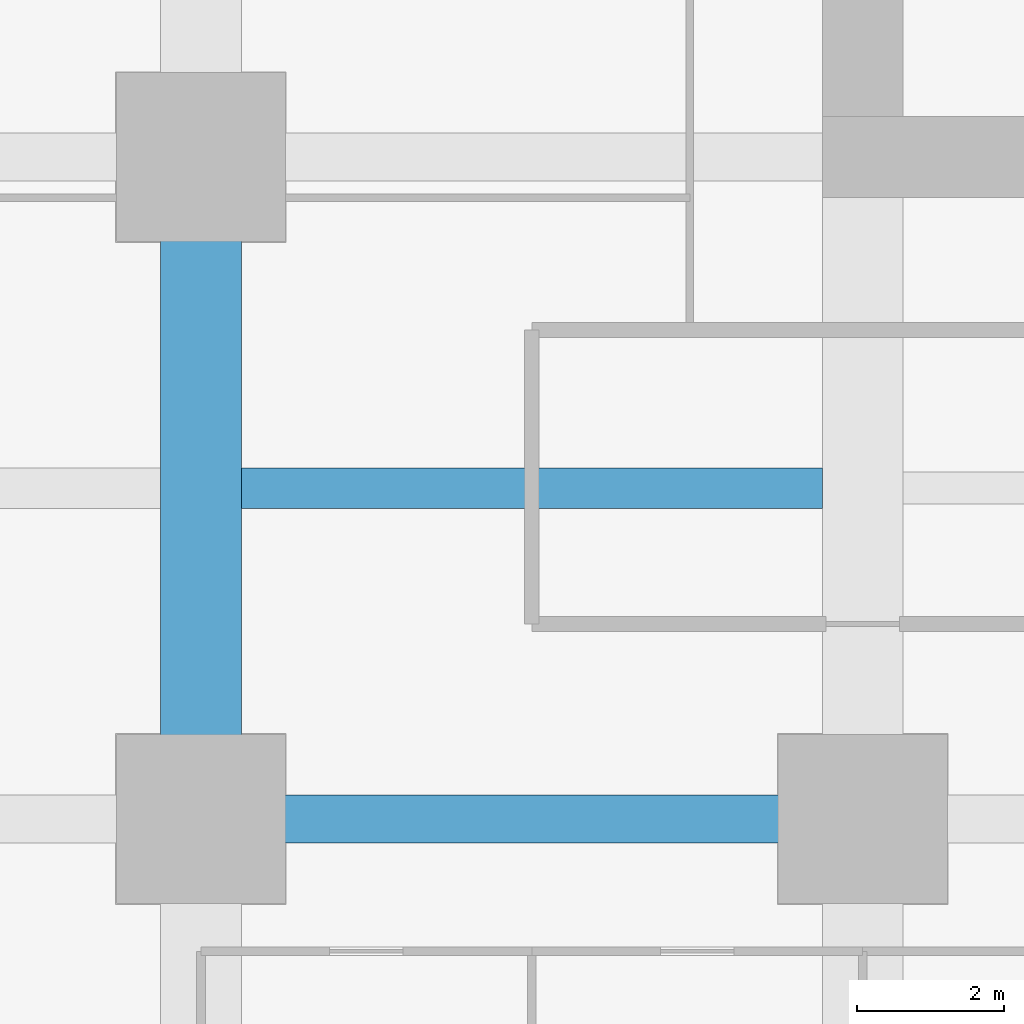
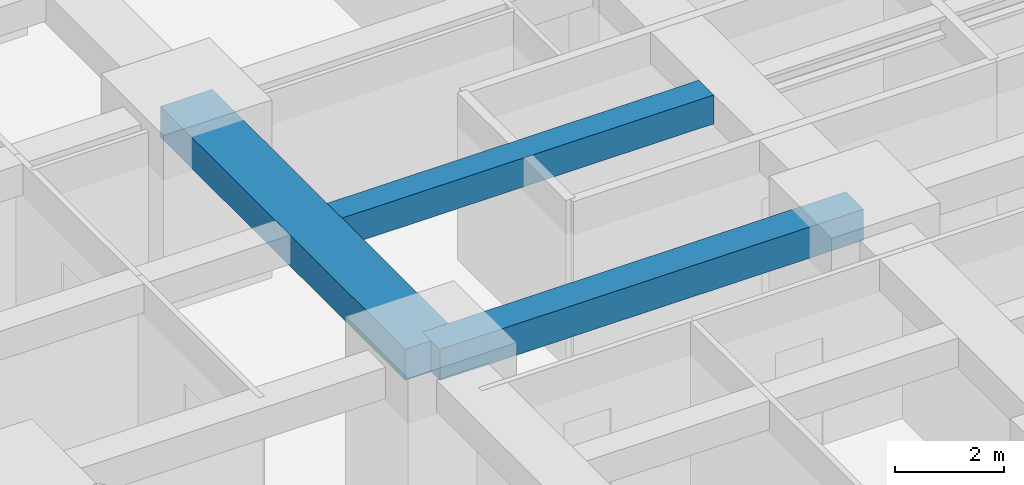
# One storey, part 5 of 44: 3 beams.
"""IFC4 building model written with IfcOpenShell, lengths in metres."""

from ifc_helpers import new_model, si_unit, direction, frame, origin, origin_2d, place, context, subcontext, project, spatial, rectangle, extrude, material, material_profile, profile_set, type_object, element, save


model = new_model("IFC4")

# Units and contexts
model_context = context("Model", 3, precision=1e-05, world=origin(), true_north=direction((0.0, 1.0)))
body_context = subcontext(model_context, "Body", "Model", "MODEL_VIEW")
ifc_project = project(units=[si_unit("LENGTHUNIT", "METRE"), si_unit("AREAUNIT", "SQUARE_METRE"), si_unit("VOLUMEUNIT", "CUBIC_METRE"), si_unit("PLANEANGLEUNIT", "RADIAN"), si_unit("MASSUNIT", "GRAM", prefix="KILO")], contexts=[model_context])

# Site, building, storey
site_placement = place(None, origin())
site = spatial("IfcSite", under=ifc_project, at=site_placement, CompositionType="ELEMENT")
building_placement = place(site_placement, origin())
building = spatial("IfcBuilding", under=site, at=building_placement, Name="Zorevar Civic Tower", CompositionType="ELEMENT")
storey_placement = place(building_placement, frame((0.0, 0.0, 31.800048828125)))
storey = spatial("IfcBuildingStorey", under=building, at=storey_placement, Name="L07", CompositionType="ELEMENT", Elevation=31.800048828125)

# Beams
ifc_material_1 = material(Name="Concrete C50/60", Category="concrete")
ifc_material_profile_1 = material_profile(ifc_material_1, rectangle(XDim=1.10009765625, YDim=0.699951171875, at=origin_2d()), Name="RC 1100x700")
ifc_profile_set_1 = profile_set([ifc_material_profile_1], Name="Concrete C50/60")
beam_type_1 = type_object("IfcBeamType", Name="Beam RC 1100x700", PredefinedType="BEAM", material=ifc_profile_set_1)
beam_1_placement = place(storey_placement, frame((9.0, 9.0, 3.39990234375), z_axis=(0.0, 1.0, 0.0), x_axis=(-1.0, 0.0, 0.0)))
element("IfcBeam", 1, at=beam_1_placement, inside=storey, type_object=beam_type_1, Name="Girder L08", PredefinedType="BEAM", context=body_context, shape_type="SweptSolid", body=[
    extrude(rectangle(XDim=1.10009765625, YDim=0.699951171875, at=origin_2d()), origin(), (0.0, 0.0, 1.0), 9.0),
])
ifc_material_2 = material(Name="Concrete C50/60", Category="concrete")
ifc_material_profile_2 = material_profile(ifc_material_2, rectangle(XDim=0.550048828125, YDim=0.64990234375, at=origin_2d()), Name="RC 550x650")
ifc_profile_set_2 = profile_set([ifc_material_profile_2], Name="Concrete C50/60")
beam_type_2 = type_object("IfcBeamType", Name="Beam RC 550x650", PredefinedType="BEAM", material=ifc_profile_set_2)
beam_2_placement = place(storey_placement, frame((9.550048828125, 13.5, 3.425048828125), z_axis=(1.0, 0.0, 0.0), x_axis=(0.0, 1.0, 0.0)))
element("IfcBeam", 2, at=beam_2_placement, inside=storey, type_object=beam_type_2, Name="Secondary beam L08", PredefinedType="BEAM", context=body_context, shape_type="SweptSolid", body=[
    extrude(rectangle(XDim=0.550048828125, YDim=0.64990234375, at=origin_2d()), origin(), (0.0, 0.0, 1.0), 7.89990234375),
])
ifc_material_3 = material(Name="Concrete C50/60", Category="concrete")
ifc_material_profile_3 = material_profile(ifc_material_3, rectangle(XDim=0.64990234375, YDim=0.699951171875, at=origin_2d()), Name="RC 650x700")
ifc_profile_set_3 = profile_set([ifc_material_profile_3], Name="Concrete C50/60")
beam_type_3 = type_object("IfcBeamType", Name="Beam RC 650x700", PredefinedType="BEAM", material=ifc_profile_set_3)
beam_3_placement = place(storey_placement, frame((9.0, 9.0, 3.39990234375), z_axis=(1.0, 0.0, 0.0), x_axis=(0.0, 1.0, 0.0)))
element("IfcBeam", 3, at=beam_3_placement, inside=storey, type_object=beam_type_3, Name="Girder L08", PredefinedType="BEAM", context=body_context, shape_type="SweptSolid", body=[
    extrude(rectangle(XDim=0.64990234375, YDim=0.699951171875, at=origin_2d()), origin(), (0.0, 0.0, 1.0), 9.0),
])

save(model, "model.ifc")
